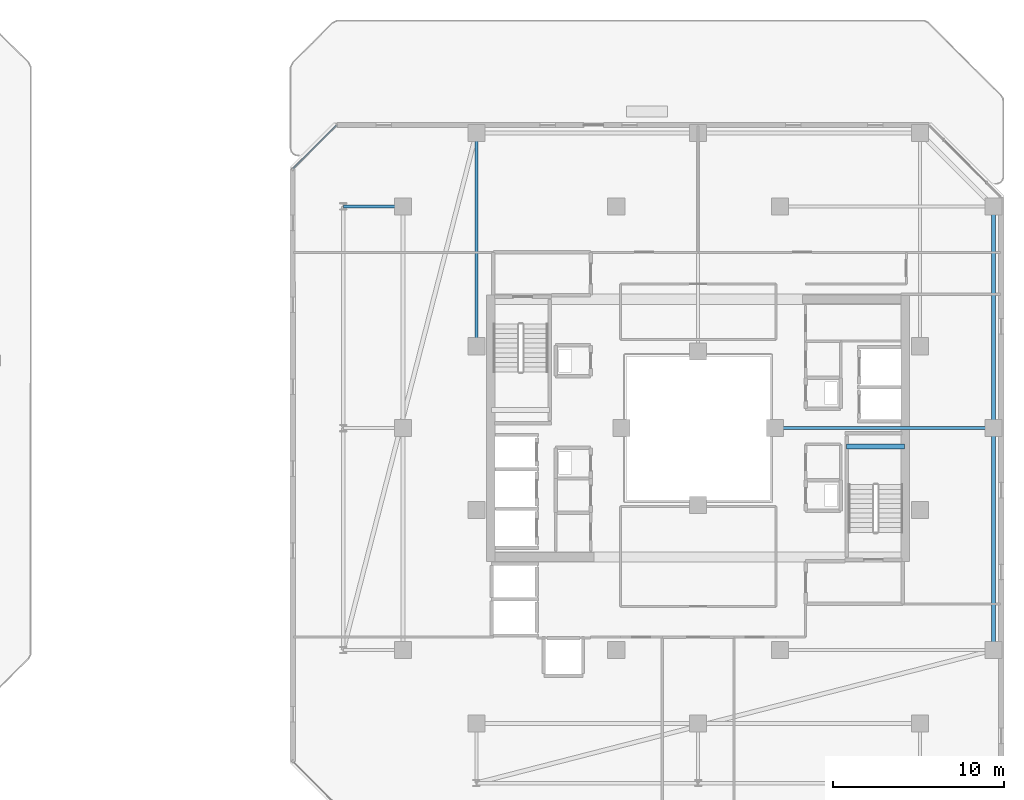
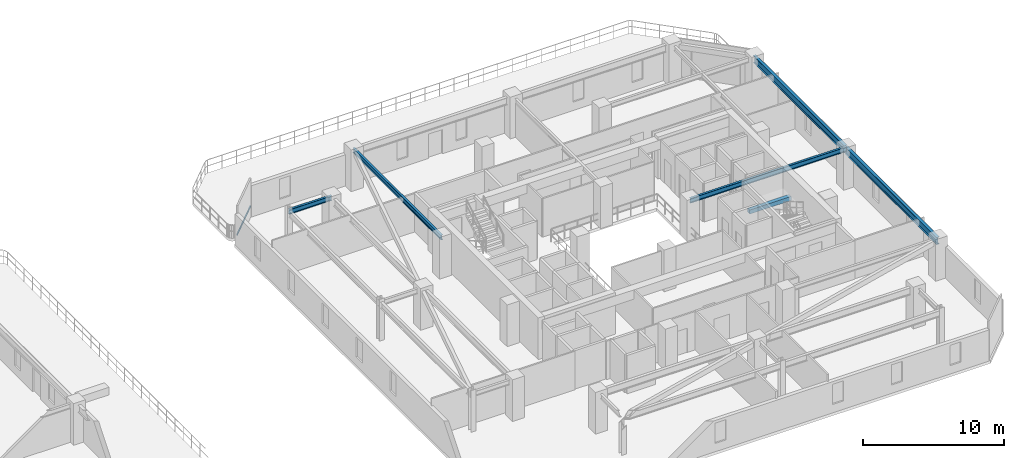
# One storey, part 15 of 32: 6 beams, 1 member, 1 element without a shape of its own.
"""IFC4 building model written with IfcOpenShell, lengths in metres."""

from ifc_helpers import new_model, si_unit, direction, frame, origin, origin_2d, place, context, subcontext, project, spatial, rectangle, hollow_rectangle, i_section, extrude, material, material_profile, profile_set, type_object, element, aggregate, save


model = new_model("IFC4")

# Units and contexts
model_context = context("Model", 3, precision=1e-05, world=origin(), true_north=direction((0.0, 1.0)))
body_context = subcontext(model_context, "Body", "Model", "MODEL_VIEW")
ifc_project = project(units=[si_unit("LENGTHUNIT", "METRE"), si_unit("AREAUNIT", "SQUARE_METRE"), si_unit("VOLUMEUNIT", "CUBIC_METRE"), si_unit("PLANEANGLEUNIT", "RADIAN"), si_unit("MASSUNIT", "GRAM", prefix="KILO")], contexts=[model_context])

# Site, building, storey
site_placement = place(None, origin())
site = spatial("IfcSite", under=ifc_project, at=site_placement, CompositionType="ELEMENT")
building_placement = place(site_placement, origin())
building = spatial("IfcBuilding", under=site, at=building_placement, Name="Thornwick Lancets Civic Towers", CompositionType="ELEMENT")
storey_placement = place(building_placement, frame((0.0, 0.0, 200.10009765625)))
storey = spatial("IfcBuildingStorey", under=building, at=storey_placement, Name="L53", CompositionType="ELEMENT", Elevation=200.10009765625)

# Beams
ifc_material_1 = material(Name="Steel S355JR", Category="steel")
ifc_material_profile_1 = material_profile(ifc_material_1, i_section(OverallWidth=0.230224609375, OverallDepth=0.6171875, WebThickness=0.01318359375, FlangeThickness=0.022216796875, FilletRadius=0.0126953125, at=origin_2d()), Name="UKB 610x229x140")
ifc_profile_set_1 = profile_set([ifc_material_profile_1], Name="Steel S355JR")
beam_type_1 = type_object("IfcBeamType", Name="BM_GIRD_610_140", PredefinedType="BEAM", material=ifc_profile_set_1)
beam_1_placement = place(storey_placement, frame((105.800048828125, 14.0, 3.03125), z_axis=(0.0, 1.0, 0.0), x_axis=(-1.0, 0.0, 0.0)))
element("IfcBeam", 1, at=beam_1_placement, inside=storey, type_object=beam_type_1, Name="BM-SPINE-L53-B-0-1", PredefinedType="BEAM", context=body_context, shape_type="SweptSolid", body=[
    extrude(i_section(OverallWidth=0.230224609375, OverallDepth=0.6171875, WebThickness=0.01318359375, FlangeThickness=0.022216796875, FilletRadius=0.0126953125, at=origin_2d()), origin(), (0.0, 0.0, 1.0), 13.0),
])
beam_2_placement = place(storey_placement, frame((105.800048828125, 27.080078125, 3.03125), z_axis=(0.0, 1.0, 0.0), x_axis=(-1.0, 0.0, 0.0)))
element("IfcBeam", 2, at=beam_2_placement, inside=storey, type_object=beam_type_1, Name="BM-SPINE-L53-B-1-2", PredefinedType="BEAM", context=body_context, shape_type="SweptSolid", body=[
    extrude(i_section(OverallWidth=0.230224609375, OverallDepth=0.6171875, WebThickness=0.01318359375, FlangeThickness=0.022216796875, FilletRadius=0.0126953125, at=origin_2d()), origin(), (0.0, 0.0, 1.0), 12.919921875),
])
ifc_material_profile_2 = material_profile(ifc_material_1, i_section(OverallWidth=0.179443359375, OverallDepth=0.412841796875, WebThickness=0.009521484375, FlangeThickness=0.01611328125, FilletRadius=0.01025390625, at=origin_2d()), Name="UKB 406x178x74")
ifc_profile_set_2 = profile_set([ifc_material_profile_2], Name="Steel S355JR")
beam_type_2 = type_object("IfcBeamType", Name="BM_JOIST_406_74", PredefinedType="JOIST", material=ifc_profile_set_2)
beam_3_placement = place(storey_placement, frame((93.0, 27.0, 3.133544921875), z_axis=(1.0, 0.0, 0.0), x_axis=(0.0, 1.0, 0.0)))
element("IfcBeam", 3, at=beam_3_placement, inside=storey, type_object=beam_type_2, Name="BM-RADIN-L53-B02", PredefinedType="JOIST", context=body_context, shape_type="SweptSolid", body=[
    extrude(i_section(OverallWidth=0.179443359375, OverallDepth=0.412841796875, WebThickness=0.009521484375, FlangeThickness=0.01611328125, FilletRadius=0.01025390625, at=origin_2d()), origin(), (0.0, 0.0, 1.0), 12.800048828125),
])
beam_4_placement = place(storey_placement, frame((75.5, 31.800048828125, 3.133544921875), z_axis=(0.0, 1.0, 0.0), x_axis=(-1.0, 0.0, 0.0)))
element("IfcBeam", 4, at=beam_4_placement, inside=storey, type_object=beam_type_2, Name="BM-RADIN-L53-B06", PredefinedType="JOIST", context=body_context, shape_type="SweptSolid", body=[
    extrude(i_section(OverallWidth=0.179443359375, OverallDepth=0.412841796875, WebThickness=0.009521484375, FlangeThickness=0.01611328125, FilletRadius=0.01025390625, at=origin_2d()), origin(), (0.0, 0.0, 1.0), 12.5),
])
beam_5_placement = place(storey_placement, frame((71.199951171875, 40.0, 3.133544921875), z_axis=(-1.0, 0.0, 0.0), x_axis=(0.0, -1.0, 0.0)))
element("IfcBeam", 5, at=beam_5_placement, inside=storey, type_object=beam_type_2, Name="BM-RAD-L53-B09", PredefinedType="JOIST", context=body_context, shape_type="SweptSolid", body=[
    extrude(i_section(OverallWidth=0.179443359375, OverallDepth=0.412841796875, WebThickness=0.009521484375, FlangeThickness=0.01611328125, FilletRadius=0.01025390625, at=origin_2d()), origin(), (0.0, 0.0, 1.0), 3.5),
])
ifc_material_2 = material(Name="Concrete C40/50", Category="concrete")
ifc_material_profile_3 = material_profile(ifc_material_2, rectangle(XDim=0.300048828125, YDim=0.35009765625, at=origin_2d()), Name="RC 300x350")
ifc_profile_set_3 = profile_set([ifc_material_profile_3], Name="Concrete C40/50")
beam_type_3 = type_object("IfcBeamType", Name="BM_STAIR_LDG", PredefinedType="BEAM", material=ifc_profile_set_3)
beam_6_placement = place(storey_placement, frame((100.60009765625, 25.93505859375, 1.3779296875), z_axis=(-1.0, 0.0, 0.0), x_axis=(0.0, -1.0, 0.0)))
element("IfcBeam", 6, at=beam_6_placement, inside=storey, type_object=beam_type_3, Name="L53 ST-B1 Landing Support Beam 1", PredefinedType="BEAM", context=body_context, shape_type="SweptSolid", body=[
    extrude(rectangle(XDim=0.300048828125, YDim=0.35009765625, at=origin_2d()), origin(), (0.0, 0.0, 1.0), 3.400146484375),
])

# Curtain wall, member
ifc_material_3 = material(Name="High-zone chamfered-corner unitised glass curtain wall", Category="glass")
curtain_wall_type = type_object("IfcCurtainWallType", Name="CW_SYS_05", PredefinedType="NOTDEFINED", material=ifc_material_3)
curtain_wall_placement = place(storey_placement, origin())
curtain_wall = element("IfcCurtainWall", 7, at=curtain_wall_placement, inside=storey, type_object=curtain_wall_type, Name="L53 Curtain Wall CW-L53-B-E5", PredefinedType="NOTDEFINED")
ifc_material_4 = material(Name="Thermally broken bronze aluminium S355", Category="steel")
ifc_material_profile_4 = material_profile(ifc_material_4, hollow_rectangle(XDim=0.074951171875, YDim=0.14990234375, WallThickness=0.0048828125, at=origin_2d()), Name="RHS 150x75x5")
ifc_profile_set_4 = profile_set([ifc_material_profile_4], Name="Thermally broken bronze aluminium S355")
member_type = type_object("IfcMemberType", Name="CW_TRN_150", PredefinedType="USERDEFINED", material=ifc_profile_set_4)
member_placement = place(storey_placement, frame((67.304443359375, 44.75048828125, 0.849853515625), z_axis=(-0.707106781187, -0.707106781187, 0.0), x_axis=(0.707106781187, -0.707106781187, 0.0)))
member = element("IfcMember", 8, at=member_placement, type_object=member_type, Name="CW-L53-B-E5 Transom 0", ObjectType="TRANSOM", PredefinedType="USERDEFINED", context=body_context, shape_type="SweptSolid", body=[
    extrude(hollow_rectangle(XDim=0.074951171875, YDim=0.14990234375, WallThickness=0.0048828125, at=origin_2d()), origin(), (0.0, 0.0, 1.0), 3.61328125),
])
aggregate(curtain_wall, [member])

save(model, "model.ifc")
